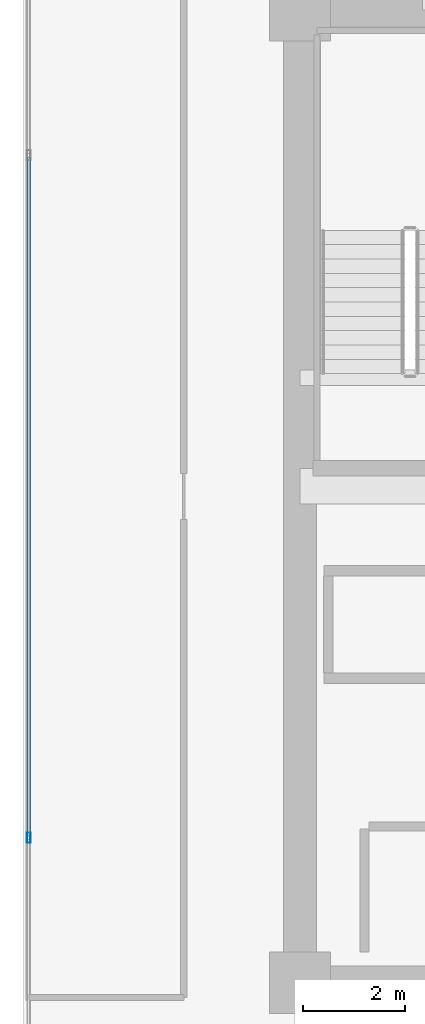
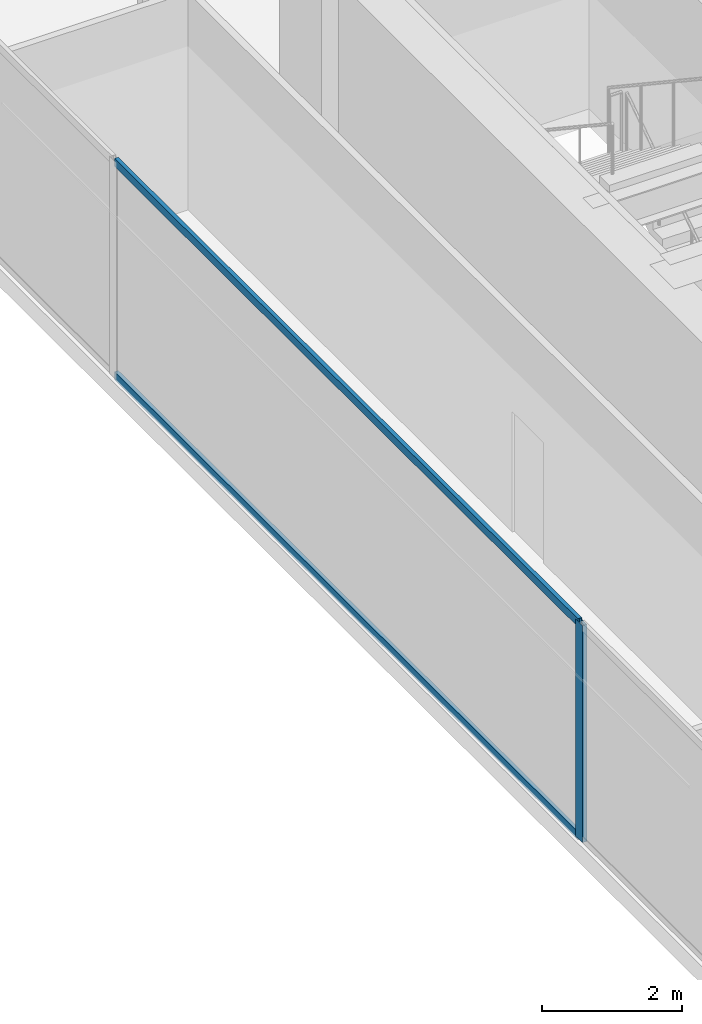
# One storey, part 6 of 33: 3 members, 1 element without a shape of its own.
"""IFC4 building model written with IfcOpenShell, lengths in metres."""

from ifc_helpers import new_model, si_unit, direction, frame, origin, origin_2d, place, context, subcontext, project, spatial, hollow_rectangle, extrude, source, transform, mapped, material, layer, layer_set, material_profile, profile_set, type_object, type_shapes, element, aggregate, save


model = new_model("IFC4")

# Units and contexts
model_context = context("Model", 3, precision=1e-05, world=origin(), true_north=direction((0.0, 1.0)))
body_context = subcontext(model_context, "Body", "Model", "MODEL_VIEW")
ifc_project = project(units=[si_unit("LENGTHUNIT", "METRE"), si_unit("AREAUNIT", "SQUARE_METRE"), si_unit("VOLUMEUNIT", "CUBIC_METRE"), si_unit("PLANEANGLEUNIT", "RADIAN"), si_unit("MASSUNIT", "GRAM", prefix="KILO")], contexts=[model_context])

# Site, building, storey
site_placement = place(None, origin())
site = spatial("IfcSite", under=ifc_project, at=site_placement, CompositionType="ELEMENT")
building_placement = place(site_placement, origin())
building = spatial("IfcBuilding", under=site, at=building_placement, Name="Haelvirn Gate Laboratories", CompositionType="ELEMENT")
storey_placement = place(building_placement, frame((0.0, 0.0, 117.39990234375)))
storey = spatial("IfcBuildingStorey", under=building, at=storey_placement, Name="L28", CompositionType="ELEMENT", Elevation=117.39990234375)

# Curtain wall, members
ifc_material_1 = material(Name="Anodised bronze unitised aluminium & triple low-E glass", Category="aluminium")
ifc_layer = layer(ifc_material_1, 0.179931640625, Name="CW-SYS-3")
ifc_layer_set = layer_set([ifc_layer], Name="Anodised bronze unitised aluminium & triple low-E glass")
curtain_wall_type = type_object("IfcCurtainWallType", Name="CW-SYS-3", PredefinedType="NOTDEFINED", material=ifc_layer_set)
curtain_wall_placement = place(storey_placement, origin())
curtain_wall = element("IfcCurtainWall", 1, at=curtain_wall_placement, inside=storey, type_object=curtain_wall_type, Name="L28 Unitised Curtain Wall CW-L28-P0-E17", PredefinedType="NOTDEFINED")
ifc_material_2 = material(Name="Extruded aluminium 6063-T6 (anodised bronze)", Category="aluminium")
ifc_material_profile_1 = material_profile(ifc_material_2, hollow_rectangle(XDim=0.06494140625, YDim=0.139892578125, WallThickness=0.00390625, at=origin_2d()), Name="CWT-140x65x4")
ifc_profile_set_1 = profile_set([ifc_material_profile_1], Name="Extruded aluminium 6063-T6 (anodised bronze)")
member_type_1 = type_object("IfcMemberType", Name="CWT-T140", PredefinedType="USERDEFINED", material=ifc_profile_set_1)
shared_shape_1 = source(origin(), body_context, "Body", "SweptSolid", [
    extrude(hollow_rectangle(XDim=0.06494140625, YDim=0.139892578125, WallThickness=0.00390625, at=origin_2d()), origin(), (0.0, 0.0, 1.0), 13.25830078125),
])
type_shapes(member_type_1, [shared_shape_1])
member_1_placement = place(storey_placement, frame((2.10009765625, 30.92919921875, 0.03271484375), z_axis=(0.0, -1.0, 0.0), x_axis=(1.0, 0.0, 0.0)))
member_1 = element("IfcMember", 2, at=member_1_placement, type_object=member_type_1, Name="CW3 transom 2.1", ObjectType="TRANSOM", PredefinedType="USERDEFINED", context=body_context, shape_type="MappedRepresentation", body=[
    mapped(shared_shape_1, transform((0.0, 0.0, 0.0), scale=1.0)),
])
member_2_placement = place(storey_placement, frame((2.10009765625, 30.92919921875, 3.757568359375), z_axis=(0.0, -1.0, 0.0), x_axis=(1.0, 0.0, 0.0)))
member_2 = element("IfcMember", 3, at=member_2_placement, type_object=member_type_1, Name="CW3 transom 2.2", ObjectType="TRANSOM", PredefinedType="USERDEFINED", context=body_context, shape_type="MappedRepresentation", body=[
    mapped(shared_shape_1, transform((0.0, 0.0, 0.0), scale=1.0)),
])
ifc_material_profile_2 = material_profile(ifc_material_2, hollow_rectangle(XDim=0.074951171875, YDim=0.199951171875, WallThickness=0.0048828125, at=origin_2d()), Name="CWM-200x75x5")
ifc_profile_set_2 = profile_set([ifc_material_profile_2], Name="Extruded aluminium 6063-T6 (anodised bronze)")
member_type_2 = type_object("IfcMemberType", Name="CWM-T200", PredefinedType="MULLION", material=ifc_profile_set_2)
shared_shape_2 = source(origin(), body_context, "Body", "SweptSolid", [
    extrude(hollow_rectangle(XDim=0.074951171875, YDim=0.199951171875, WallThickness=0.0048828125, at=origin_2d()), origin(), (0.0, 0.0, 1.0), 3.7900390625),
])
type_shapes(member_type_2, [shared_shape_2])
member_3_placement = place(storey_placement, frame((2.10009765625, 17.63330078125, 0.0), z_axis=(0.0, 0.0, 1.0), x_axis=(1.0, 0.0, 0.0)))
member_3 = element("IfcMember", 4, at=member_3_placement, type_object=member_type_2, Name="CW3 mullion 3", PredefinedType="MULLION", context=body_context, shape_type="MappedRepresentation", body=[
    mapped(shared_shape_2, transform((0.0, 0.0, 0.0), scale=1.0)),
])
aggregate(curtain_wall, [member_3, member_1, member_2])

save(model, "model.ifc")
